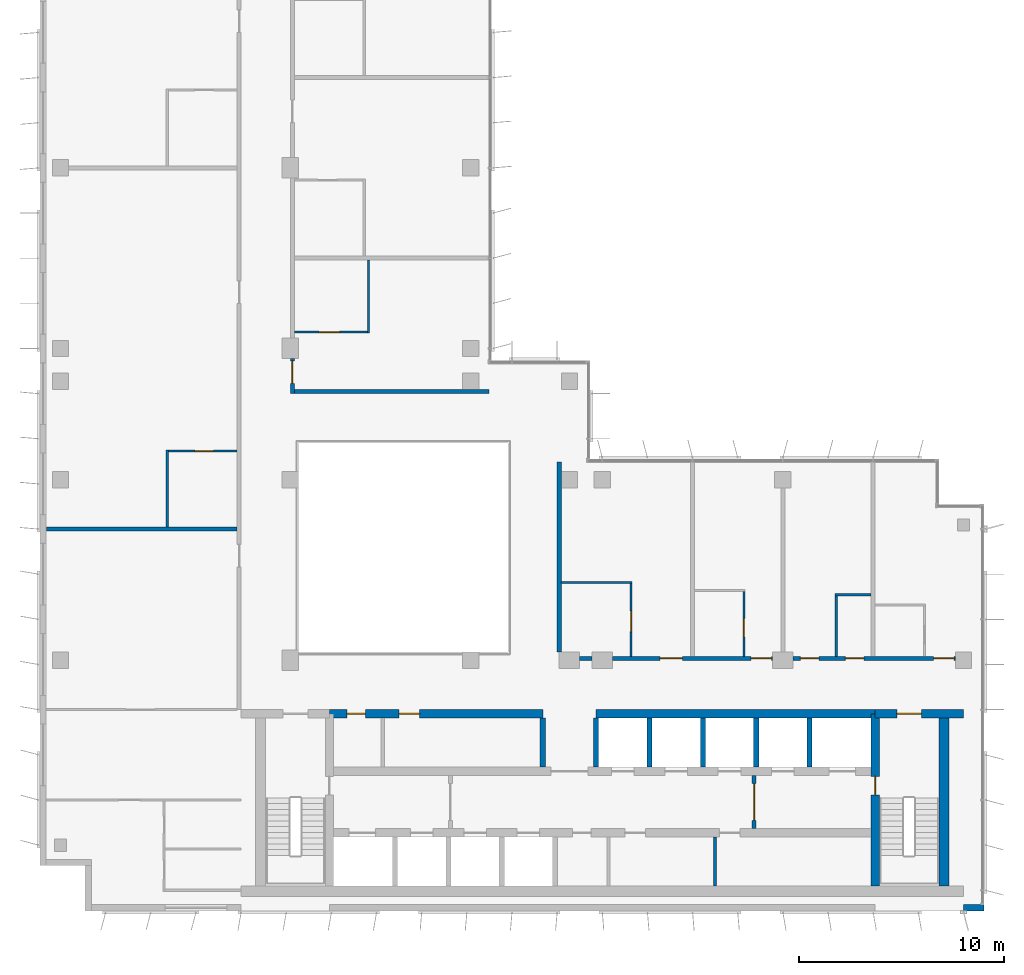
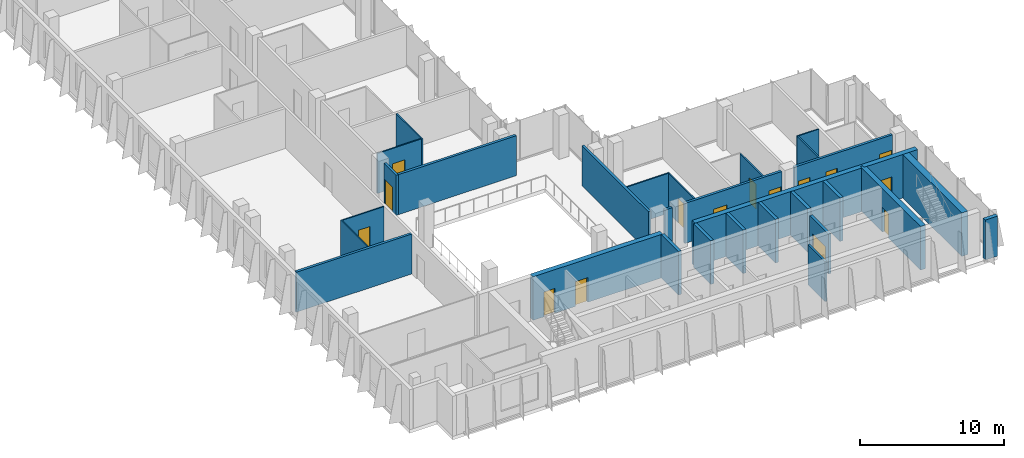
# One storey, part 10 of 15: 30 walls, 15 doors, 15 openings.
"""IFC4 building model written with IfcOpenShell, lengths in metres."""

from ifc_helpers import new_model, si_unit, direction, frame, frame_2d, origin, place, context, subcontext, project, spatial, rectangle, extrude, material, layer, layer_set, type_object, element, fill, save


model = new_model("IFC4")

# Units and contexts
model_context = context("Model", 3, precision=1e-05, world=origin(), true_north=direction((0.0, 1.0)))
body_context = subcontext(model_context, "Body", "Model", "MODEL_VIEW")
ifc_project = project(units=[si_unit("LENGTHUNIT", "METRE"), si_unit("AREAUNIT", "SQUARE_METRE"), si_unit("VOLUMEUNIT", "CUBIC_METRE"), si_unit("PLANEANGLEUNIT", "RADIAN"), si_unit("MASSUNIT", "GRAM", prefix="KILO")], contexts=[model_context])

# Site, building, storey
site_placement = place(None, origin())
site = spatial("IfcSite", under=ifc_project, at=site_placement, CompositionType="ELEMENT")
building_placement = place(site_placement, origin())
building = spatial("IfcBuilding", under=site, at=building_placement, Name="Kemantara Hotel Tower", CompositionType="ELEMENT")
storey_placement = place(building_placement, frame((0.0, 0.0, 290.699951171875)))
storey = spatial("IfcBuildingStorey", under=building, at=storey_placement, Name="L73", CompositionType="ELEMENT", Elevation=290.699951171875)

# Walls
ifc_material_1 = material(Name="Bronze anodised aluminium cladding on insulated steel stud wall", Category="steel")
ifc_layer_1 = layer(ifc_material_1, 0.300048828125)
ifc_layer_set_1 = layer_set([ifc_layer_1], Name="Bronze anodised aluminium cladding on insulated steel stud wall")
wall_type_1 = type_object("IfcWallType", Name="BRONZE METAL-CLAD EXTERNAL WALL 300", PredefinedType="STANDARD", material=ifc_layer_set_1)
wall_1_placement = place(storey_placement, frame((45.0, 0.14990234375, 0.0), z_axis=(0.0, 0.0, 1.0), x_axis=(1.0, 0.0, 0.0)))
element("IfcWall", 1, at=wall_1_placement, inside=storey, type_object=wall_type_1, Name="EXTERNAL WALL L73 T4-R08-3", PredefinedType="STANDARD", context=body_context, shape_type="SweptSolid", body=[
    extrude(rectangle(XDim=1.0, YDim=0.300048828125, at=frame_2d((0.5, 0.0))), origin(), (0.0, 0.0, 1.0), 3.400146484375),
])
ifc_material_2 = material(Name="Concrete fc 50 MPa", Category="concrete")
ifc_layer_2 = layer(ifc_material_2, 0.25)
ifc_layer_set_2 = layer_set([ifc_layer_2], Name="Concrete fc 50 MPa")
wall_type_2 = type_object("IfcWallType", Name="CORE WALL 250 FC50", PredefinedType="SHEAR", material=ifc_layer_set_2)
for number, where, z_axis, x_axis, name in (
    (2, (24.5, 7.0, 0.0), (0.0, 0.0, 1.0), (0.0, 1.0, 0.0), "CORE WALL CW-DN24.5"),
    (3, (27.10009765625, 7.0, 0.0), (0.0, 0.0, 1.0), (0.0, 1.0, 0.0), "CORE WALL CW-DN27.1"),
    (4, (29.699951171875, 7.0, 0.0), (0.0, 0.0, 1.0), (0.0, 1.0, 0.0), "CORE WALL CW-DN29.7"),
    (5, (32.300048828125, 7.0, 0.0), (0.0, 0.0, 1.0), (0.0, 1.0, 0.0), "CORE WALL CW-DN32.3"),
    (6, (34.89990234375, 7.0, 0.0), (0.0, 0.0, 1.0), (0.0, 1.0, 0.0), "CORE WALL CW-DN34.9"),
    (7, (37.5, 7.0, 0.0), (0.0, 0.0, 1.0), (0.0, 1.0, 0.0), "CORE WALL CW-DN37.5"),
):
    element("IfcWall", number, at=place(storey_placement, frame(where, z_axis=z_axis, x_axis=x_axis)), inside=storey, type_object=wall_type_2, Name=name, PredefinedType="SHEAR", context=body_context, shape_type="SweptSolid", body=[
        extrude(rectangle(XDim=2.39990234375, YDim=0.25, at=frame_2d((1.199951171875, 0.0))), origin(), (0.0, 0.0, 1.0), 3.699951171875),
    ])

# Wall, opening, door
ifc_layer_3 = layer(ifc_material_2, 0.39990234375)
ifc_layer_set_3 = layer_set([ifc_layer_3], Name="Concrete fc 50 MPa")
wall_type_3 = type_object("IfcWallType", Name="CORE WALL 400 FC50", PredefinedType="SHEAR", material=ifc_layer_set_3)
wall_2_placement = place(storey_placement, frame((40.699951171875, 9.60009765625, 0.0), z_axis=(0.0, 0.0, 1.0), x_axis=(1.0, 0.0, 0.0)))
wall_2 = element("IfcWall", 8, at=wall_2_placement, inside=storey, type_object=wall_type_3, Name="CORE WALL CW-N2", PredefinedType="SHEAR", context=body_context, shape_type="SweptSolid", body=[
    extrude(rectangle(XDim=4.300048828125, YDim=0.39990234375, at=frame_2d((2.14990234375, 0.0))), origin(), (0.0, 0.0, 1.0), 3.699951171875),
])
opening_1_placement = place(wall_2_placement, frame((1.050048828125, 0.0, 0.0)))
opening_1 = element("IfcOpeningElement", 9, at=opening_1_placement, cuts=wall_2, Name="Opening C41-ST2-C", PredefinedType="OPENING", context=body_context, shape_type="SweptSolid", body=[
    extrude(rectangle(XDim=1.199951171875, YDim=2.10009765625, at=frame_2d((0.60009765625, 1.050048828125))), frame((0.0, 0.2099609375, 0.0), z_axis=(0.0, -1.0, 0.0), x_axis=(1.0, 0.0, 0.0)), (0.0, 0.0, 1.0), 0.419921875),
])
ifc_material_3 = material(Name="Steel fire door", Category="steel")
door_type_1 = type_object("IfcDoorType", Name="Fire door FD90 1200 x 2100", OperationType="NOTDEFINED", PredefinedType="DOOR", material=ifc_material_3)
door_1_placement = place(opening_1_placement, frame((1.199951171875, 0.0, 0.0), z_axis=(0.0, 0.0, 1.0), x_axis=(-1.0, 0.0, 0.0)))
door_1 = element("IfcDoor", 10, at=door_1_placement, inside=storey, type_object=door_type_1, Name="Stair ST2 door to corridor", OperationType="SINGLE_SWING_RIGHT", OverallHeight=2.10009765625, OverallWidth=1.199951171875, PredefinedType="DOOR", context=body_context, shape_type="SweptSolid", body=[
    extrude(rectangle(XDim=1.199951171875, YDim=2.10009765625, at=frame_2d((0.60009765625, 1.050048828125))), frame((0.0, 0.02490234375, 0.0), z_axis=(0.0, -1.0, 0.0), x_axis=(1.0, 0.0, 0.0)), (0.0, 0.0, 1.0), 0.050048828125),
])
fill(opening_1, door_1)

# Wall, openings, doors
wall_3_placement = place(storey_placement, frame((14.10009765625, 9.60009765625, 0.0), z_axis=(0.0, 0.0, 1.0), x_axis=(1.0, 0.0, 0.0)))
wall_3 = element("IfcWall", 11, at=wall_3_placement, inside=storey, type_object=wall_type_3, Name="CORE WALL CW-NN1", PredefinedType="SHEAR", context=body_context, shape_type="SweptSolid", body=[
    extrude(rectangle(XDim=10.39990234375, YDim=0.39990234375, at=frame_2d((5.199951171875, 0.0))), origin(), (0.0, 0.0, 1.0), 3.699951171875),
])
opening_2_placement = place(wall_3_placement, frame((0.85009765625, 0.0, 0.0)))
opening_2 = element("IfcOpeningElement", 12, at=opening_2_placement, cuts=wall_3, Name="Opening C41-R-NW1", PredefinedType="OPENING", context=body_context, shape_type="SweptSolid", body=[
    extrude(rectangle(XDim=0.89990234375, YDim=2.10009765625, at=frame_2d((0.449951171875, 1.050048828125))), frame((0.0, 0.2099609375, 0.0), z_axis=(0.0, -1.0, 0.0), x_axis=(1.0, 0.0, 0.0)), (0.0, 0.0, 1.0), 0.419921875),
])
opening_3_placement = place(wall_3_placement, frame((3.39990234375, 0.0, 0.0)))
opening_3 = element("IfcOpeningElement", 13, at=opening_3_placement, cuts=wall_3, Name="Opening C41-R-NW2", PredefinedType="OPENING", context=body_context, shape_type="SweptSolid", body=[
    extrude(rectangle(XDim=1.0, YDim=2.10009765625, at=frame_2d((0.5, 1.050048828125))), frame((0.0, 0.2099609375, 0.0), z_axis=(0.0, -1.0, 0.0), x_axis=(1.0, 0.0, 0.0)), (0.0, 0.0, 1.0), 0.419921875),
])
door_type_2 = type_object("IfcDoorType", Name="Fire door FD30S 1000 x 2100", OperationType="NOTDEFINED", PredefinedType="DOOR", material=ifc_material_3)
door_2_placement = place(opening_3_placement, frame((1.0, 0.0, 0.0), z_axis=(0.0, 0.0, 1.0), x_axis=(-1.0, 0.0, 0.0)))
door_2 = element("IfcDoor", 14, at=door_2_placement, inside=storey, type_object=door_type_2, Name="Housekeeping Store door", OperationType="SINGLE_SWING_RIGHT", OverallHeight=2.10009765625, OverallWidth=1.0, PredefinedType="DOOR", context=body_context, shape_type="SweptSolid", body=[
    extrude(rectangle(XDim=1.0, YDim=2.10009765625, at=frame_2d((0.5, 1.050048828125))), frame((0.0, 0.02490234375, 0.0), z_axis=(0.0, -1.0, 0.0), x_axis=(1.0, 0.0, 0.0)), (0.0, 0.0, 1.0), 0.050048828125),
])
fill(opening_3, door_2)
door_type_3 = type_object("IfcDoorType", Name="Fire door FD30S 900 x 2100", OperationType="NOTDEFINED", PredefinedType="DOOR", material=ifc_material_3)
door_3_placement = place(opening_2_placement, frame((0.89990234375, 0.0, 0.0), z_axis=(0.0, 0.0, 1.0), x_axis=(-1.0, 0.0, 0.0)))
door_3 = element("IfcDoor", 15, at=door_3_placement, inside=storey, type_object=door_type_3, Name="Staff Wc door", OperationType="SINGLE_SWING_RIGHT", OverallHeight=2.10009765625, OverallWidth=0.89990234375, PredefinedType="DOOR", context=body_context, shape_type="SweptSolid", body=[
    extrude(rectangle(XDim=0.89990234375, YDim=2.10009765625, at=frame_2d((0.449951171875, 1.050048828125))), frame((0.0, 0.02490234375, 0.0), z_axis=(0.0, -1.0, 0.0), x_axis=(1.0, 0.0, 0.0)), (0.0, 0.0, 1.0), 0.050048828125),
])
fill(opening_2, door_3)

# Wall
wall_4_placement = place(storey_placement, frame((27.10009765625, 9.60009765625, 0.0), z_axis=(0.0, 0.0, 1.0), x_axis=(1.0, 0.0, 0.0)))
element("IfcWall", 16, at=wall_4_placement, inside=storey, type_object=wall_type_3, Name="CORE WALL CW-NN2", PredefinedType="SHEAR", context=body_context, shape_type="SweptSolid", body=[
    extrude(rectangle(XDim=13.599853515625, YDim=0.39990234375, at=frame_2d((6.7998046875, 0.0))), origin(), (0.0, 0.0, 1.0), 3.699951171875),
])

# Wall, opening, door
wall_5_placement = place(storey_placement, frame((40.699951171875, 1.199951171875, 0.0), z_axis=(0.0, 0.0, 1.0), x_axis=(0.0, 1.0, 0.0)))
wall_5 = element("IfcWall", 17, at=wall_5_placement, inside=storey, type_object=wall_type_3, Name="CORE WALL CW-ST2W", PredefinedType="SHEAR", context=body_context, shape_type="SweptSolid", body=[
    extrude(rectangle(XDim=8.400146484375, YDim=0.39990234375, at=frame_2d((4.2001953125, 0.0))), origin(), (0.0, 0.0, 1.0), 3.699951171875),
])
opening_4_placement = place(wall_5_placement, frame((4.449951171875, 0.0, 0.0)))
opening_4 = element("IfcOpeningElement", 18, at=opening_4_placement, cuts=wall_5, Name="Opening C41-ST2-F", PredefinedType="OPENING", context=body_context, shape_type="SweptSolid", body=[
    extrude(rectangle(XDim=0.89990234375, YDim=2.10009765625, at=frame_2d((0.449951171875, 1.050048828125))), frame((0.0, 0.2099609375, 0.0), z_axis=(0.0, -1.0, 0.0), x_axis=(1.0, 0.0, 0.0)), (0.0, 0.0, 1.0), 0.419921875),
])
door_type_4 = type_object("IfcDoorType", Name="Fire door FD90 900 x 2100", OperationType="NOTDEFINED", PredefinedType="DOOR", material=ifc_material_3)
door_4_placement = place(opening_4_placement, frame((0.89990234375, 0.0, 0.0), z_axis=(0.0, 0.0, 1.0), x_axis=(-1.0, 0.0, 0.0)))
door_4 = element("IfcDoor", 19, at=door_4_placement, inside=storey, type_object=door_type_4, Name="Stair ST2 door to firefighting lobby", OperationType="SINGLE_SWING_LEFT", OverallHeight=2.10009765625, OverallWidth=0.89990234375, PredefinedType="DOOR", context=body_context, shape_type="SweptSolid", body=[
    extrude(rectangle(XDim=0.89990234375, YDim=2.10009765625, at=frame_2d((0.449951171875, 1.050048828125))), frame((0.0, 0.02490234375, 0.0), z_axis=(0.0, -1.0, 0.0), x_axis=(1.0, 0.0, 0.0)), (0.0, 0.0, 1.0), 0.050048828125),
])
fill(opening_4, door_4)

# Walls
ifc_layer_4 = layer(ifc_material_2, 0.5)
ifc_layer_set_4 = layer_set([ifc_layer_4], Name="Concrete fc 50 MPa")
wall_type_4 = type_object("IfcWallType", Name="CORE WALL 500 FC50", PredefinedType="SHEAR", material=ifc_layer_set_4)
wall_6_placement = place(storey_placement, frame((44.050048828125, 1.199951171875, 0.0), z_axis=(0.0, 0.0, 1.0), x_axis=(0.0, 1.0, 0.0)))
element("IfcWall", 20, at=wall_6_placement, inside=storey, type_object=wall_type_4, Name="CORE WALL CW-E", PredefinedType="SHEAR", context=body_context, shape_type="SweptSolid", body=[
    extrude(rectangle(XDim=8.60009765625, YDim=0.5, at=frame_2d((4.300048828125, 0.0))), origin(), (0.0, 0.0, 1.0), 3.699951171875),
])
ifc_material_4 = material(Name="Gypsum board partition, steel studs and mineral wool, 200 mm", Category="steel")
ifc_layer_5 = layer(ifc_material_4, 0.199951171875)
ifc_layer_set_5 = layer_set([ifc_layer_5], Name="Gypsum board partition, steel studs and mineral wool, 200 mm")
wall_type_5 = type_object("IfcWallType", Name="CORRIDOR WALL 200", PredefinedType="PARTITIONING", material=ifc_layer_set_5)
wall_7_placement = place(storey_placement, frame((26.300048828125, 12.300048828125, 0.0), z_axis=(0.0, 0.0, 1.0), x_axis=(1.0, 0.0, 0.0)))
element("IfcWall", 21, at=wall_7_placement, inside=storey, type_object=wall_type_5, Name="CORRIDOR WALL 200 001", PredefinedType="PARTITIONING", context=body_context, shape_type="SweptSolid", body=[
    extrude(rectangle(XDim=0.599853515625, YDim=0.199951171875, at=frame_2d((0.2998046875, 0.0))), origin(), (0.0, 0.0, 1.0), 3.400146484375),
])

# Wall, openings, doors
wall_8_placement = place(storey_placement, frame((27.900146484375, 12.300048828125, 0.0), z_axis=(0.0, 0.0, 1.0), x_axis=(1.0, 0.0, 0.0)))
wall_8 = element("IfcWall", 22, at=wall_8_placement, inside=storey, type_object=wall_type_5, Name="CORRIDOR WALL 200 002", PredefinedType="PARTITIONING", context=body_context, shape_type="SweptSolid", body=[
    extrude(rectangle(XDim=7.7998046875, YDim=0.199951171875, at=frame_2d((3.89990234375, 0.0))), origin(), (0.0, 0.0, 1.0), 3.400146484375),
])
opening_5_placement = place(wall_8_placement, frame((2.2998046875, 0.0, 0.0)))
opening_5 = element("IfcOpeningElement", 23, at=opening_5_placement, cuts=wall_8, Name="Opening F36-001", PredefinedType="OPENING", context=body_context, shape_type="SweptSolid", body=[
    extrude(rectangle(XDim=1.10009765625, YDim=2.10009765625, at=frame_2d((0.550048828125, 1.050048828125))), frame((0.0, 0.10986328125, 0.0), z_axis=(0.0, -1.0, 0.0), x_axis=(1.0, 0.0, 0.0)), (0.0, 0.0, 1.0), 0.219970703125),
])
opening_6_placement = place(wall_8_placement, frame((6.75, 0.0, 0.0)))
opening_6 = element("IfcOpeningElement", 24, at=opening_6_placement, cuts=wall_8, Name="Opening F36-003", PredefinedType="OPENING", context=body_context, shape_type="SweptSolid", body=[
    extrude(rectangle(XDim=1.0, YDim=2.10009765625, at=frame_2d((0.5, 1.050048828125))), frame((0.0, 0.10986328125, 0.0), z_axis=(0.0, -1.0, 0.0), x_axis=(1.0, 0.0, 0.0)), (0.0, 0.0, 1.0), 0.219970703125),
])
ifc_material_5 = material(Name="Hardwood veneer door leaf with steel frame", Category="steel")
door_type_5 = type_object("IfcDoorType", Name="GUEST ROOM DOOR 1000 X 2100 FD30S", OperationType="NOTDEFINED", PredefinedType="DOOR", material=ifc_material_5)
door_5_placement = place(opening_6_placement, origin())
door_5 = element("IfcDoor", 25, at=door_5_placement, inside=storey, type_object=door_type_5, Name="GUEST ROOM DOOR F36-003", OperationType="SINGLE_SWING_RIGHT", OverallHeight=2.10009765625, OverallWidth=1.0, PredefinedType="DOOR", context=body_context, shape_type="SweptSolid", body=[
    extrude(rectangle(XDim=1.0, YDim=2.10009765625, at=frame_2d((0.5, 1.050048828125))), frame((0.0, 0.02490234375, 0.0), z_axis=(0.0, -1.0, 0.0), x_axis=(1.0, 0.0, 0.0)), (0.0, 0.0, 1.0), 0.050048828125),
])
fill(opening_6, door_5)
door_type_6 = type_object("IfcDoorType", Name="GUEST ROOM DOOR 1100 X 2100 FD30S", OperationType="NOTDEFINED", PredefinedType="DOOR", material=ifc_material_5)
door_6_placement = place(opening_5_placement, origin())
door_6 = element("IfcDoor", 26, at=door_6_placement, inside=storey, type_object=door_type_6, Name="GUEST ROOM DOOR F36-001", OperationType="SINGLE_SWING_RIGHT", OverallHeight=2.10009765625, OverallWidth=1.10009765625, PredefinedType="DOOR", context=body_context, shape_type="SweptSolid", body=[
    extrude(rectangle(XDim=1.10009765625, YDim=2.10009765625, at=frame_2d((0.550048828125, 1.050048828125))), frame((0.0, 0.02490234375, 0.0), z_axis=(0.0, -1.0, 0.0), x_axis=(1.0, 0.0, 0.0)), (0.0, 0.0, 1.0), 0.050048828125),
])
fill(opening_5, door_6)

wall_9_placement = place(storey_placement, frame((36.7001953125, 12.300048828125, 0.0), z_axis=(0.0, 0.0, 1.0), x_axis=(1.0, 0.0, 0.0)))
wall_9 = element("IfcWall", 27, at=wall_9_placement, inside=storey, type_object=wall_type_5, Name="CORRIDOR WALL 200 003", PredefinedType="PARTITIONING", context=body_context, shape_type="SweptSolid", body=[
    extrude(rectangle(XDim=7.899658203125, YDim=0.199951171875, at=frame_2d((3.94970703125, 0.0))), origin(), (0.0, 0.0, 1.0), 3.400146484375),
])
opening_7_placement = place(wall_9_placement, frame((0.349853515625, 0.0, 0.0)))
opening_7 = element("IfcOpeningElement", 28, at=opening_7_placement, cuts=wall_9, Name="Opening F36-005", PredefinedType="OPENING", context=body_context, shape_type="SweptSolid", body=[
    extrude(rectangle(XDim=0.89990234375, YDim=2.10009765625, at=frame_2d((0.449951171875, 1.050048828125))), frame((0.0, 0.10986328125, 0.0), z_axis=(0.0, -1.0, 0.0), x_axis=(1.0, 0.0, 0.0)), (0.0, 0.0, 1.0), 0.219970703125),
])
opening_8_placement = place(wall_9_placement, frame((2.5498046875, 0.0, 0.0)))
opening_8 = element("IfcOpeningElement", 29, at=opening_8_placement, cuts=wall_9, Name="Opening F36-006", PredefinedType="OPENING", context=body_context, shape_type="SweptSolid", body=[
    extrude(rectangle(XDim=0.89990234375, YDim=2.10009765625, at=frame_2d((0.449951171875, 1.050048828125))), frame((0.0, 0.10986328125, 0.0), z_axis=(0.0, -1.0, 0.0), x_axis=(1.0, 0.0, 0.0)), (0.0, 0.0, 1.0), 0.219970703125),
])
opening_9_placement = place(wall_9_placement, frame((6.849853515625, 0.0, 0.0)))
opening_9 = element("IfcOpeningElement", 30, at=opening_9_placement, cuts=wall_9, Name="Opening F36-007", PredefinedType="OPENING", context=body_context, shape_type="SweptSolid", body=[
    extrude(rectangle(XDim=1.0, YDim=2.10009765625, at=frame_2d((0.5, 1.050048828125))), frame((0.0, 0.10986328125, 0.0), z_axis=(0.0, -1.0, 0.0), x_axis=(1.0, 0.0, 0.0)), (0.0, 0.0, 1.0), 0.219970703125),
])
door_7_placement = place(opening_9_placement, origin())
door_7 = element("IfcDoor", 31, at=door_7_placement, inside=storey, type_object=door_type_5, Name="GUEST ROOM DOOR F36-007", OperationType="SINGLE_SWING_RIGHT", OverallHeight=2.10009765625, OverallWidth=1.0, PredefinedType="DOOR", context=body_context, shape_type="SweptSolid", body=[
    extrude(rectangle(XDim=1.0, YDim=2.10009765625, at=frame_2d((0.5, 1.050048828125))), frame((0.0, 0.02490234375, 0.0), z_axis=(0.0, -1.0, 0.0), x_axis=(1.0, 0.0, 0.0)), (0.0, 0.0, 1.0), 0.050048828125),
])
fill(opening_9, door_7)
ifc_material_6 = material(Name="Steel door leaf with steel frame", Category="steel")
door_type_7 = type_object("IfcDoorType", Name="SERVICE ROOM DOOR 900 X 2100 FD60", OperationType="NOTDEFINED", PredefinedType="DOOR", material=ifc_material_6)
door_8_placement = place(opening_7_placement, origin())
door_8 = element("IfcDoor", 32, at=door_8_placement, inside=storey, type_object=door_type_7, Name="SERVICE ROOM DOOR F36-005", OperationType="SINGLE_SWING_LEFT", OverallHeight=2.10009765625, OverallWidth=0.89990234375, PredefinedType="DOOR", context=body_context, shape_type="SweptSolid", body=[
    extrude(rectangle(XDim=0.89990234375, YDim=2.10009765625, at=frame_2d((0.449951171875, 1.050048828125))), frame((0.0, 0.02490234375, 0.0), z_axis=(0.0, -1.0, 0.0), x_axis=(1.0, 0.0, 0.0)), (0.0, 0.0, 1.0), 0.050048828125),
])
fill(opening_7, door_8)
door_9_placement = place(opening_8_placement, origin())
door_9 = element("IfcDoor", 33, at=door_9_placement, inside=storey, type_object=door_type_7, Name="SERVICE ROOM DOOR F36-006", OperationType="SINGLE_SWING_RIGHT", OverallHeight=2.10009765625, OverallWidth=0.89990234375, PredefinedType="DOOR", context=body_context, shape_type="SweptSolid", body=[
    extrude(rectangle(XDim=0.89990234375, YDim=2.10009765625, at=frame_2d((0.449951171875, 1.050048828125))), frame((0.0, 0.02490234375, 0.0), z_axis=(0.0, -1.0, 0.0), x_axis=(1.0, 0.0, 0.0)), (0.0, 0.0, 1.0), 0.050048828125),
])
fill(opening_8, door_9)

# Wall, opening, door
wall_10_placement = place(storey_placement, frame((12.300048828125, 26.89990234375, 0.0), z_axis=(0.0, 0.0, 1.0), x_axis=(0.0, -1.0, 0.0)))
wall_10 = element("IfcWall", 34, at=wall_10_placement, inside=storey, type_object=wall_type_5, Name="CORRIDOR WALL 200 015", PredefinedType="PARTITIONING", context=body_context, shape_type="SweptSolid", body=[
    extrude(rectangle(XDim=1.699951171875, YDim=0.199951171875, at=frame_2d((0.85009765625, 0.0))), origin(), (0.0, 0.0, 1.0), 3.400146484375),
])
opening_10_placement = place(wall_10_placement, frame((0.099853515625, 0.0, 0.0)))
opening_10 = element("IfcOpeningElement", 35, at=opening_10_placement, cuts=wall_10, Name="Opening F36-022", PredefinedType="OPENING", context=body_context, shape_type="SweptSolid", body=[
    extrude(rectangle(XDim=1.10009765625, YDim=2.10009765625, at=frame_2d((0.550048828125, 1.050048828125))), frame((0.0, 0.10986328125, 0.0), z_axis=(0.0, -1.0, 0.0), x_axis=(1.0, 0.0, 0.0)), (0.0, 0.0, 1.0), 0.219970703125),
])
door_10_placement = place(opening_10_placement, origin())
door_10 = element("IfcDoor", 36, at=door_10_placement, inside=storey, type_object=door_type_6, Name="GUEST ROOM DOOR F36-022", OperationType="SINGLE_SWING_RIGHT", OverallHeight=2.10009765625, OverallWidth=1.10009765625, PredefinedType="DOOR", context=body_context, shape_type="SweptSolid", body=[
    extrude(rectangle(XDim=1.10009765625, YDim=2.10009765625, at=frame_2d((0.550048828125, 1.050048828125))), frame((0.0, 0.02490234375, 0.0), z_axis=(0.0, -1.0, 0.0), x_axis=(1.0, 0.0, 0.0)), (0.0, 0.0, 1.0), 0.050048828125),
])
fill(opening_10, door_10)

# Walls
ifc_layer_6 = layer(ifc_material_4, 0.199951171875)
ifc_layer_set_6 = layer_set([ifc_layer_6], Name="Gypsum board partition, steel studs and mineral wool, 200 mm")
wall_type_6 = type_object("IfcWallType", Name="GUEST ROOM PARTY WALL 200", PredefinedType="PARTITIONING", material=ifc_layer_set_6)
wall_11_placement = place(storey_placement, frame((25.300048828125, 12.60009765625, 0.0), z_axis=(0.0, 0.0, 1.0), x_axis=(0.0, 1.0, 0.0)))
element("IfcWall", 37, at=wall_11_placement, inside=storey, type_object=wall_type_6, Name="GUEST ROOM PARTY WALL 200 004", PredefinedType="PARTITIONING", context=body_context, shape_type="SweptSolid", body=[
    extrude(rectangle(XDim=9.27001953125, YDim=0.199951171875, at=frame_2d((4.635009765625, 0.0))), origin(), (0.0, 0.0, 1.0), 3.400146484375),
])
wall_12_placement = place(storey_placement, frame((0.31005859375, 18.60009765625, 0.0), z_axis=(0.0, 0.0, 1.0), x_axis=(1.0, 0.0, 0.0)))
element("IfcWall", 38, at=wall_12_placement, inside=storey, type_object=wall_type_6, Name="GUEST ROOM PARTY WALL 200 010", PredefinedType="PARTITIONING", context=body_context, shape_type="SweptSolid", body=[
    extrude(rectangle(XDim=9.2900390625, YDim=0.199951171875, at=frame_2d((4.64501953125, 0.0))), origin(), (0.0, 0.0, 1.0), 3.400146484375),
])
wall_13_placement = place(storey_placement, frame((12.39990234375, 25.300048828125, 0.0), z_axis=(0.0, 0.0, 1.0), x_axis=(1.0, 0.0, 0.0)))
element("IfcWall", 39, at=wall_13_placement, inside=storey, type_object=wall_type_6, Name="GUEST ROOM PARTY WALL 200 020", PredefinedType="PARTITIONING", context=body_context, shape_type="SweptSolid", body=[
    extrude(rectangle(XDim=9.47021484375, YDim=0.199951171875, at=frame_2d((4.735107421875, 0.0))), origin(), (0.0, 0.0, 1.0), 3.400146484375),
])
ifc_material_7 = material(Name="Gypsum board partition")
ifc_layer_7 = layer(ifc_material_7, 0.14990234375)
ifc_layer_set_7 = layer_set([ifc_layer_7], Name="Gypsum board partition")
wall_type_7 = type_object("IfcWallType", Name="Gypsum board partition 150 mm", PredefinedType="PARTITIONING", material=ifc_layer_set_7)
wall_14_placement = place(storey_placement, frame((32.89990234375, 1.199951171875, 0.0), z_axis=(0.0, 0.0, 1.0), x_axis=(0.0, 1.0, 0.0)))
element("IfcWall", 40, at=wall_14_placement, inside=storey, type_object=wall_type_7, Name="Core room partition", PredefinedType="PARTITIONING", context=body_context, shape_type="SweptSolid", body=[
    extrude(rectangle(XDim=2.400146484375, YDim=0.14990234375, at=frame_2d((1.2001953125, 0.0))), origin(), (0.0, 0.0, 1.0), 3.400146484375),
])

# Wall, opening, door
ifc_material_8 = material(Name="Gypsum board shaft wall")
ifc_layer_8 = layer(ifc_material_8, 0.199951171875)
ifc_layer_set_8 = layer_set([ifc_layer_8], Name="Gypsum board shaft wall")
wall_type_8 = type_object("IfcWallType", Name="Gypsum board shaft wall 200 mm", PredefinedType="PARTITIONING", material=ifc_layer_set_8)
wall_15_placement = place(storey_placement, frame((34.800048828125, 4.0, 0.0), z_axis=(0.0, 0.0, 1.0), x_axis=(0.0, 1.0, 0.0)))
wall_15 = element("IfcWall", 41, at=wall_15_placement, inside=storey, type_object=wall_type_8, Name="Firefighting lobby partition east", PredefinedType="PARTITIONING", context=body_context, shape_type="SweptSolid", body=[
    extrude(rectangle(XDim=2.60009765625, YDim=0.199951171875, at=frame_2d((1.300048828125, 0.0))), origin(), (0.0, 0.0, 1.0), 3.400146484375),
])
opening_11_placement = place(wall_15_placement, frame((0.39990234375, 0.0, 0.0)))
opening_11 = element("IfcOpeningElement", 42, at=opening_11_placement, cuts=wall_15, Name="Opening C41-FFE", PredefinedType="OPENING", context=body_context, shape_type="SweptSolid", body=[
    extrude(rectangle(XDim=1.800048828125, YDim=2.10009765625, at=frame_2d((0.89990234375, 1.050048828125))), frame((0.0, 0.10986328125, 0.0), z_axis=(0.0, -1.0, 0.0), x_axis=(1.0, 0.0, 0.0)), (0.0, 0.0, 1.0), 0.219970703125),
])
door_type_8 = type_object("IfcDoorType", Name="Fire door pair FD60 1800 x 2100", OperationType="DOUBLE_DOOR_SINGLE_SWING", PredefinedType="DOOR", material=ifc_material_3)
door_11_placement = place(opening_11_placement, frame((1.800048828125, 0.0, 0.0), z_axis=(0.0, 0.0, 1.0), x_axis=(-1.0, 0.0, 0.0)))
door_11 = element("IfcDoor", 43, at=door_11_placement, inside=storey, type_object=door_type_8, Name="Firefighting lobby door east", OperationType="DOUBLE_DOOR_SINGLE_SWING", OverallHeight=2.10009765625, OverallWidth=1.800048828125, PredefinedType="DOOR", context=body_context, shape_type="SweptSolid", body=[
    extrude(rectangle(XDim=1.800048828125, YDim=2.10009765625, at=frame_2d((0.89990234375, 1.050048828125))), frame((0.0, 0.02490234375, 0.0), z_axis=(0.0, -1.0, 0.0), x_axis=(1.0, 0.0, 0.0)), (0.0, 0.0, 1.0), 0.050048828125),
])
fill(opening_11, door_11)

# Wall
ifc_material_9 = material(Name="Gypsum board partition on steel studs, 100 mm", Category="steel")
ifc_layer_9 = layer(ifc_material_9, 0.10009765625)
ifc_layer_set_9 = layer_set([ifc_layer_9], Name="Gypsum board partition on steel studs, 100 mm")
wall_type_9 = type_object("IfcWallType", Name="ROOM PARTITION 100", PredefinedType="PARTITIONING", material=ifc_layer_set_9)
wall_16_placement = place(storey_placement, frame((25.39990234375, 16.0, 0.0), z_axis=(0.0, 0.0, 1.0), x_axis=(1.0, 0.0, 0.0)))
element("IfcWall", 44, at=wall_16_placement, inside=storey, type_object=wall_type_9, Name="ROOM PARTITION 100 023", PredefinedType="PARTITIONING", context=body_context, shape_type="SweptSolid", body=[
    extrude(rectangle(XDim=3.4501953125, YDim=0.10009765625, at=frame_2d((1.72509765625, 0.0))), origin(), (0.0, 0.0, 1.0), 3.400146484375),
])

# Wall, opening, door
wall_17_placement = place(storey_placement, frame((28.800048828125, 12.39990234375, 0.0), z_axis=(0.0, 0.0, 1.0), x_axis=(0.0, 1.0, 0.0)))
wall_17 = element("IfcWall", 45, at=wall_17_placement, inside=storey, type_object=wall_type_9, Name="ROOM PARTITION 100 024", PredefinedType="PARTITIONING", context=body_context, shape_type="SweptSolid", body=[
    extrude(rectangle(XDim=3.550048828125, YDim=0.10009765625, at=frame_2d((1.77490234375, 0.0))), origin(), (0.0, 0.0, 1.0), 3.400146484375),
])
opening_12_placement = place(wall_17_placement, frame((1.199951171875, 0.0, 0.0)))
opening_12 = element("IfcOpeningElement", 46, at=opening_12_placement, cuts=wall_17, Name="Opening F36-002", PredefinedType="OPENING", context=body_context, shape_type="SweptSolid", body=[
    extrude(rectangle(XDim=1.0, YDim=2.10009765625, at=frame_2d((0.5, 1.050048828125))), frame((0.0, 0.06005859375, 0.0), z_axis=(0.0, -1.0, 0.0), x_axis=(1.0, 0.0, 0.0)), (0.0, 0.0, 1.0), 0.1201171875),
])
door_type_9 = type_object("IfcDoorType", Name="BATHROOM DOOR 1000 X 2100", OperationType="NOTDEFINED", PredefinedType="DOOR", material=ifc_material_5)
door_12_placement = place(opening_12_placement, origin())
door_12 = element("IfcDoor", 47, at=door_12_placement, inside=storey, type_object=door_type_9, Name="BATHROOM DOOR F36-002", OperationType="SINGLE_SWING_LEFT", OverallHeight=2.10009765625, OverallWidth=1.0, PredefinedType="DOOR", context=body_context, shape_type="SweptSolid", body=[
    extrude(rectangle(XDim=1.0, YDim=2.10009765625, at=frame_2d((0.5, 1.050048828125))), frame((0.0, 0.02490234375, 0.0), z_axis=(0.0, -1.0, 0.0), x_axis=(1.0, 0.0, 0.0)), (0.0, 0.0, 1.0), 0.050048828125),
])
fill(opening_12, door_12)

wall_18_placement = place(storey_placement, frame((34.300048828125, 12.39990234375, 0.0), z_axis=(0.0, 0.0, 1.0), x_axis=(0.0, 1.0, 0.0)))
wall_18 = element("IfcWall", 48, at=wall_18_placement, inside=storey, type_object=wall_type_9, Name="ROOM PARTITION 100 026", PredefinedType="PARTITIONING", context=body_context, shape_type="SweptSolid", body=[
    extrude(rectangle(XDim=3.150146484375, YDim=0.10009765625, at=frame_2d((1.5751953125, 0.0))), origin(), (0.0, 0.0, 1.0), 3.400146484375),
])
opening_13_placement = place(wall_18_placement, frame((0.949951171875, 0.0, 0.0)))
opening_13 = element("IfcOpeningElement", 49, at=opening_13_placement, cuts=wall_18, Name="Opening F36-004", PredefinedType="OPENING", context=body_context, shape_type="SweptSolid", body=[
    extrude(rectangle(XDim=0.89990234375, YDim=2.10009765625, at=frame_2d((0.449951171875, 1.050048828125))), frame((0.0, 0.06005859375, 0.0), z_axis=(0.0, -1.0, 0.0), x_axis=(1.0, 0.0, 0.0)), (0.0, 0.0, 1.0), 0.1201171875),
])
door_type_10 = type_object("IfcDoorType", Name="BATHROOM DOOR 900 X 2100", OperationType="NOTDEFINED", PredefinedType="DOOR", material=ifc_material_5)
door_13_placement = place(opening_13_placement, origin())
door_13 = element("IfcDoor", 50, at=door_13_placement, inside=storey, type_object=door_type_10, Name="BATHROOM DOOR F36-004", OperationType="SINGLE_SWING_LEFT", OverallHeight=2.10009765625, OverallWidth=0.89990234375, PredefinedType="DOOR", context=body_context, shape_type="SweptSolid", body=[
    extrude(rectangle(XDim=0.89990234375, YDim=2.10009765625, at=frame_2d((0.449951171875, 1.050048828125))), frame((0.0, 0.02490234375, 0.0), z_axis=(0.0, -1.0, 0.0), x_axis=(1.0, 0.0, 0.0)), (0.0, 0.0, 1.0), 0.050048828125),
])
fill(opening_13, door_13)

# Walls
wall_19_placement = place(storey_placement, frame((38.75, 15.39990234375, 0.0), z_axis=(0.0, 0.0, 1.0), x_axis=(1.0, 0.0, 0.0)))
element("IfcWall", 51, at=wall_19_placement, inside=storey, type_object=wall_type_9, Name="ROOM PARTITION 100 027", PredefinedType="PARTITIONING", context=body_context, shape_type="SweptSolid", body=[
    extrude(rectangle(XDim=1.75, YDim=0.10009765625, at=frame_2d((0.875, 0.0))), origin(), (0.0, 0.0, 1.0), 3.400146484375),
])
wall_20_placement = place(storey_placement, frame((38.800048828125, 12.39990234375, 0.0), z_axis=(0.0, 0.0, 1.0), x_axis=(0.0, 1.0, 0.0)))
element("IfcWall", 52, at=wall_20_placement, inside=storey, type_object=wall_type_9, Name="ROOM PARTITION 100 028", PredefinedType="PARTITIONING", context=body_context, shape_type="SweptSolid", body=[
    extrude(rectangle(XDim=2.9501953125, YDim=0.10009765625, at=frame_2d((1.47509765625, 0.0))), origin(), (0.0, 0.0, 1.0), 3.400146484375),
])
wall_21_placement = place(storey_placement, frame((6.199951171875, 18.699951171875, 0.0), z_axis=(0.0, 0.0, 1.0), x_axis=(0.0, 1.0, 0.0)))
element("IfcWall", 53, at=wall_21_placement, inside=storey, type_object=wall_type_9, Name="ROOM PARTITION 100 036", PredefinedType="PARTITIONING", context=body_context, shape_type="SweptSolid", body=[
    extrude(rectangle(XDim=3.75, YDim=0.10009765625, at=frame_2d((1.875, 0.0))), origin(), (0.0, 0.0, 1.0), 3.400146484375),
])

# Wall, opening, door
wall_22_placement = place(storey_placement, frame((9.60009765625, 22.39990234375, 0.0), z_axis=(0.0, 0.0, 1.0), x_axis=(-1.0, 0.0, 0.0)))
wall_22 = element("IfcWall", 54, at=wall_22_placement, inside=storey, type_object=wall_type_9, Name="ROOM PARTITION 100 039", PredefinedType="PARTITIONING", context=body_context, shape_type="SweptSolid", body=[
    extrude(rectangle(XDim=3.35009765625, YDim=0.10009765625, at=frame_2d((1.675048828125, 0.0))), origin(), (0.0, 0.0, 1.0), 3.400146484375),
])
opening_14_placement = place(wall_22_placement, frame((1.14990234375, 0.0, 0.0)))
opening_14 = element("IfcOpeningElement", 55, at=opening_14_placement, cuts=wall_22, Name="Opening F36-015", PredefinedType="OPENING", context=body_context, shape_type="SweptSolid", body=[
    extrude(rectangle(XDim=0.89990234375, YDim=2.10009765625, at=frame_2d((0.449951171875, 1.050048828125))), frame((0.0, 0.06005859375, 0.0), z_axis=(0.0, -1.0, 0.0), x_axis=(1.0, 0.0, 0.0)), (0.0, 0.0, 1.0), 0.1201171875),
])
door_14_placement = place(opening_14_placement, origin())
door_14 = element("IfcDoor", 56, at=door_14_placement, inside=storey, type_object=door_type_10, Name="BATHROOM DOOR F36-015", OperationType="SINGLE_SWING_LEFT", OverallHeight=2.10009765625, OverallWidth=0.89990234375, PredefinedType="DOOR", context=body_context, shape_type="SweptSolid", body=[
    extrude(rectangle(XDim=0.89990234375, YDim=2.10009765625, at=frame_2d((0.449951171875, 1.050048828125))), frame((0.0, 0.02490234375, 0.0), z_axis=(0.0, -1.0, 0.0), x_axis=(1.0, 0.0, 0.0)), (0.0, 0.0, 1.0), 0.050048828125),
])
fill(opening_14, door_14)

# Wall
wall_23_placement = place(storey_placement, frame((16.0, 28.14990234375, 0.0), z_axis=(0.0, 0.0, 1.0), x_axis=(0.0, 1.0, 0.0)))
element("IfcWall", 57, at=wall_23_placement, inside=storey, type_object=wall_type_9, Name="ROOM PARTITION 100 045", PredefinedType="PARTITIONING", context=body_context, shape_type="SweptSolid", body=[
    extrude(rectangle(XDim=3.550048828125, YDim=0.10009765625, at=frame_2d((1.77490234375, 0.0))), origin(), (0.0, 0.0, 1.0), 3.400146484375),
])

# Wall, opening, door
wall_24_placement = place(storey_placement, frame((12.39990234375, 28.199951171875, 0.0), z_axis=(0.0, 0.0, 1.0), x_axis=(1.0, 0.0, 0.0)))
wall_24 = element("IfcWall", 58, at=wall_24_placement, inside=storey, type_object=wall_type_9, Name="ROOM PARTITION 100 046", PredefinedType="PARTITIONING", context=body_context, shape_type="SweptSolid", body=[
    extrude(rectangle(XDim=3.550048828125, YDim=0.10009765625, at=frame_2d((1.77490234375, 0.0))), origin(), (0.0, 0.0, 1.0), 3.400146484375),
])
opening_15_placement = place(wall_24_placement, frame((1.199951171875, 0.0, 0.0)))
opening_15 = element("IfcOpeningElement", 59, at=opening_15_placement, cuts=wall_24, Name="Opening F36-023", PredefinedType="OPENING", context=body_context, shape_type="SweptSolid", body=[
    extrude(rectangle(XDim=1.0, YDim=2.10009765625, at=frame_2d((0.5, 1.050048828125))), frame((0.0, 0.06005859375, 0.0), z_axis=(0.0, -1.0, 0.0), x_axis=(1.0, 0.0, 0.0)), (0.0, 0.0, 1.0), 0.1201171875),
])
door_15_placement = place(opening_15_placement, origin())
door_15 = element("IfcDoor", 60, at=door_15_placement, inside=storey, type_object=door_type_9, Name="BATHROOM DOOR F36-023", OperationType="SINGLE_SWING_LEFT", OverallHeight=2.10009765625, OverallWidth=1.0, PredefinedType="DOOR", context=body_context, shape_type="SweptSolid", body=[
    extrude(rectangle(XDim=1.0, YDim=2.10009765625, at=frame_2d((0.5, 1.050048828125))), frame((0.0, 0.02490234375, 0.0), z_axis=(0.0, -1.0, 0.0), x_axis=(1.0, 0.0, 0.0)), (0.0, 0.0, 1.0), 0.050048828125),
])
fill(opening_15, door_15)

save(model, "model.ifc")
